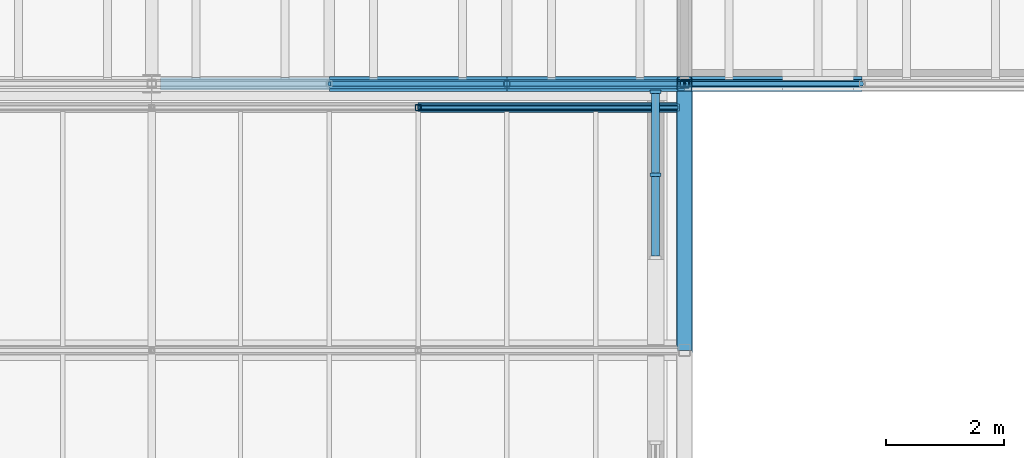
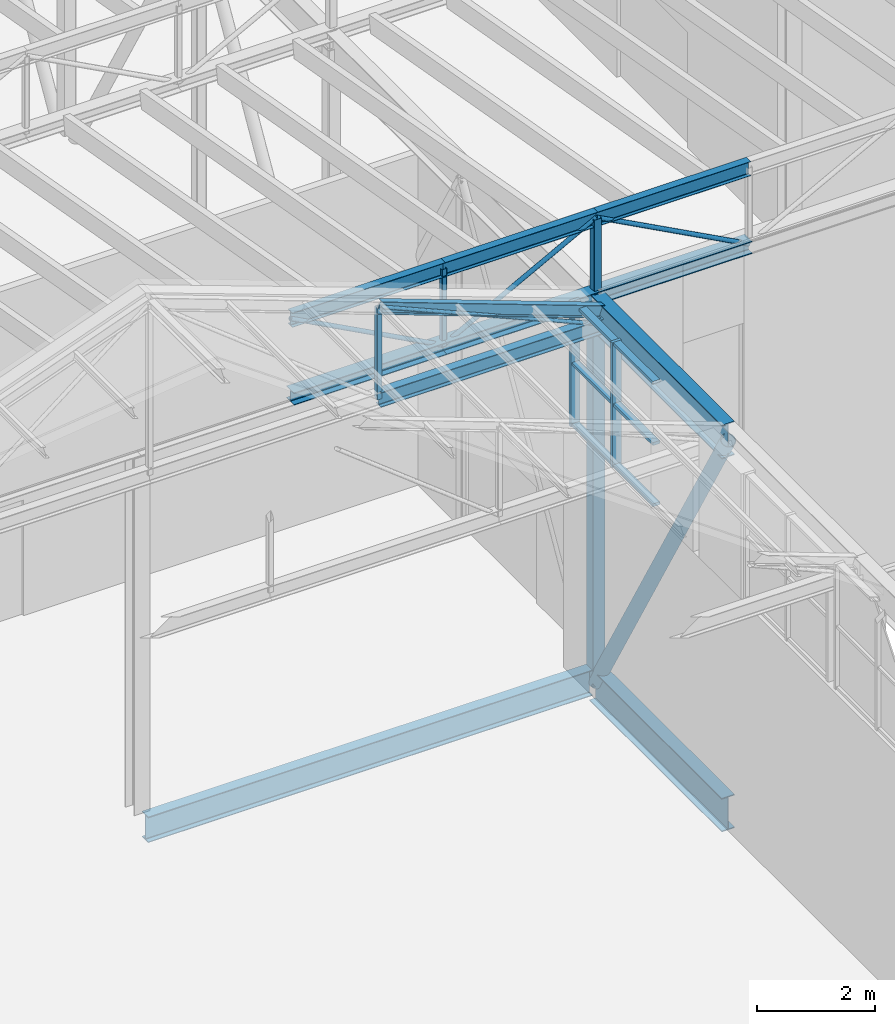
# One storey, part 31 of 90: 27 members, 1 beam, 1 element without a shape of its own.
"""IFC4 building model written with IfcOpenShell, lengths in metres."""

import ifcopenshell
import ifcopenshell.guid

model = None  # the IFC model being written
_history = None  # IfcOwnerHistory: only IFC2X3 demands one
_inside = {}  # id of a spatial element -> (the spatial element, [elements in it])
_under = {}  # id of a project, library or spatial element -> (it, [spatial elements below it])
_declared = {}  # id of a project -> (the project, [libraries it declares])
_typed = {}  # id of a type object -> (the type object, [elements of that type])
_made_of = {}  # id of a material, layer set ... -> (it, [elements and type objects made of it])


def new_model(schema):
    """Start an empty IFC model of exactly this schema.

    Asked for "IFC4X3", IfcOpenShell would pick the latest addendum, in which some entities
    have other attributes; the version numbers below select the first issue.
    IFC2X3 requires an IfcOwnerHistory on every rooted entity: one is made here for all.
    """
    global model, _history
    if schema == "IFC4X3":
        model = ifcopenshell.file(schema_version=(4, 3, 0, 0))
    else:
        model = ifcopenshell.file(schema=schema)
    _inside.clear()
    _under.clear()
    _declared.clear()
    _typed.clear()
    _made_of.clear()
    _history = None
    if model.schema == "IFC2X3":
        org = make("IfcOrganization", Name="unknown")
        user = make(
            "IfcPersonAndOrganization",
            ThePerson=make("IfcPerson", FamilyName="unknown"),
            TheOrganization=org,
        )
        app = make(
            "IfcApplication",
            ApplicationDeveloper=org,
            Version="unknown",
            ApplicationFullName="unknown",
            ApplicationIdentifier="unknown",
        )
        _history = make(
            "IfcOwnerHistory",
            OwningUser=user,
            OwningApplication=app,
            ChangeAction="ADDED",
            CreationDate=0,
        )
    return model


def make(cls, **values):
    """One entity of the class cls with the attributes given. An attribute that is None is left unset."""
    return model.create_entity(
        cls, **{name: value for name, value in values.items() if value is not None}
    )


def rooted(cls, **values):
    """An entity with a GlobalId (a new one), such as an element, a storey or a relation."""
    return make(cls, GlobalId=ifcopenshell.guid.new(), OwnerHistory=_history, **values)


def si_unit(unit_type, name, prefix=None):
    """IfcSIUnit, for example si_unit("LENGTHUNIT", "METRE", prefix="MILLI")."""
    return make("IfcSIUnit", UnitType=unit_type, Prefix=prefix, Name=name)


def assignment(units):
    """IfcUnitAssignment: the units of a project."""
    return None if units is None else make("IfcUnitAssignment", Units=units)


def point(xyz):
    """IfcCartesianPoint."""
    return None if xyz is None else make("IfcCartesianPoint", Coordinates=xyz)


def direction(xyz):
    """IfcDirection."""
    return None if xyz is None else make("IfcDirection", DirectionRatios=xyz)


def frame(location, z_axis=None, x_axis=None):
    """IfcAxis2Placement3D, a coordinate frame: its origin and axes. An axis left out is left unset."""
    return make(
        "IfcAxis2Placement3D",
        Location=point(location),
        Axis=direction(z_axis),
        RefDirection=direction(x_axis),
    )


def frame_2d(location, x_axis=None):
    """IfcAxis2Placement2D, a coordinate frame in the plane: its origin and x axis."""
    return make(
        "IfcAxis2Placement2D", Location=point(location), RefDirection=direction(x_axis)
    )


def origin():
    """The frame at (0, 0, 0) with its axes left unset."""
    return frame((0.0, 0.0, 0.0))


def origin_2d():
    """The frame at (0, 0) in the plane with its x axis left unset."""
    return frame_2d((0.0, 0.0))


def place(relative_to, where):
    """IfcLocalPlacement: puts the frame where relative to a parent placement (None: the world)."""
    return make(
        "IfcLocalPlacement", PlacementRelTo=relative_to, RelativePlacement=where
    )


def context(
    kind, dimensions, precision=None, world=None, true_north=None, identifier=None
):
    """IfcGeometricRepresentationContext, for example the 3D "Model" context."""
    return make(
        "IfcGeometricRepresentationContext",
        ContextIdentifier=identifier,
        ContextType=kind,
        CoordinateSpaceDimension=dimensions,
        Precision=precision,
        WorldCoordinateSystem=world,
        TrueNorth=true_north,
    )


def subcontext(parent, identifier, kind, view, scale=None):
    """IfcGeometricRepresentationSubContext, for example "Body" below "Model"."""
    return make(
        "IfcGeometricRepresentationSubContext",
        ContextIdentifier=identifier,
        ContextType=kind,
        ParentContext=parent,
        TargetScale=scale,
        TargetView=view,
    )


def project(units=None, contexts=None):
    """IfcProject with its units and contexts."""
    return rooted(
        "IfcProject",
        Name="project",
        RepresentationContexts=contexts,
        UnitsInContext=assignment(units),
    )


def spatial(cls, under=None, at=None, **own):
    """A site, building, storey or space (cls), placed at a placement, below another one or the project."""
    s = rooted(cls, ObjectPlacement=at, **own)
    if under is not None:
        _under.setdefault(under.id(), (under, []))[1].append(s)
    return s


def profile(cls, at=None, kind="AREA", **sizes):
    """A parametric profile (cls). Its sizes go by their IFC names, for example OverallWidth=200.0."""
    return make(cls, ProfileType=kind, Position=at, **sizes)


def rectangle(**sizes):
    """IfcRectangleProfileDef."""
    return profile("IfcRectangleProfileDef", **sizes)


def hollow_rectangle(**sizes):
    """IfcRectangleHollowProfileDef."""
    return profile("IfcRectangleHollowProfileDef", **sizes)


def hollow_circle(**sizes):
    """IfcCircleHollowProfileDef."""
    return profile("IfcCircleHollowProfileDef", **sizes)


def i_section(**sizes):
    """IfcIShapeProfileDef."""
    return profile("IfcIShapeProfileDef", **sizes)


def extrude(swept, where, along, depth):
    """IfcExtrudedAreaSolid: the profile swept, set in the frame where, extruded along a direction by depth."""
    return make(
        "IfcExtrudedAreaSolid",
        SweptArea=swept,
        Position=where,
        ExtrudedDirection=direction(along),
        Depth=depth,
    )


def shape(context_of_items, identifier, shape_type, items):
    """IfcShapeRepresentation: the items that make up one representation, for example the "Body"."""
    return make(
        "IfcShapeRepresentation",
        ContextOfItems=context_of_items,
        RepresentationIdentifier=identifier,
        RepresentationType=shape_type,
        Items=items,
    )


def material(Name=None, Category=None):
    """IfcMaterial."""
    return make("IfcMaterial", Name=Name, Category=Category)


def layer(
    of_material, thickness, ventilated=None, Name=None, Category=None, Priority=None
):
    """IfcMaterialLayer: one layer of a wall or slab, of a material (None: an air gap)."""
    return make(
        "IfcMaterialLayer",
        Material=of_material,
        LayerThickness=thickness,
        IsVentilated=ventilated,
        Name=Name,
        Category=Category,
        Priority=Priority,
    )


def layer_set(layers, Name=None):
    """IfcMaterialLayerSet."""
    return make("IfcMaterialLayerSet", MaterialLayers=layers, LayerSetName=Name)


def material_profile(
    of_material, cross_section, Name=None, Category=None, Priority=None
):
    """IfcMaterialProfile: a cross section and its material."""
    return make(
        "IfcMaterialProfile",
        Name=Name,
        Material=of_material,
        Profile=cross_section,
        Priority=Priority,
        Category=Category,
    )


def profile_set(profiles, Name=None, composite=None):
    """IfcMaterialProfileSet."""
    return make(
        "IfcMaterialProfileSet",
        Name=Name,
        MaterialProfiles=profiles,
        CompositeProfile=composite,
    )


def made_of(thing, what):
    """Note that an element or type object is made of a material, layer set ...; save() writes the relation."""
    if what is not None:
        _made_of.setdefault(what.id(), (what, []))[1].append(thing)
    return thing


def type_object(cls, material=None, **own):
    """A type object (cls), such as IfcWallType, which elements share."""
    return made_of(rooted(cls, **own), material)


def element(
    cls,
    number,
    at=None,
    inside=None,
    cuts=None,
    type_object=None,
    material=None,
    context=None,
    identifier="Body",
    shape_type=None,
    held_by="IfcProductDefinitionShape",
    body=None,
    shapes=None,
    **own,
):
    """One element of the class cls, such as IfcWall. Its Tag is "e" and its number.

    at: its placement. inside: the storey or other place that contains it. cuts: it is an
    opening in that element (IfcRelVoidsElement). A single representation is given by context,
    identifier, shape_type and body (its items); several are given by shapes. held_by: the class
    of the entity that holds the representations. save() writes the other relations.
    """
    e = rooted(cls, Tag="e%d" % number, ObjectPlacement=at, **own)
    if body is not None:
        shapes = [shape(context, identifier, shape_type, body)]
    if shapes is not None:
        e.Representation = make(held_by, Representations=shapes)
    if inside is not None:
        _inside.setdefault(inside.id(), (inside, []))[1].append(e)
    if cuts is not None:
        rooted(
            "IfcRelVoidsElement", RelatingBuildingElement=cuts, RelatedOpeningElement=e
        )
    if type_object is not None:
        _typed.setdefault(type_object.id(), (type_object, []))[1].append(e)
    return made_of(e, material)


def aggregate(whole, parts):
    """IfcRelAggregates: a whole, such as a stair, and the parts it consists of."""
    return rooted("IfcRelAggregates", RelatingObject=whole, RelatedObjects=parts)


def save(model, path):
    """Write the relations noted so far, then the file.

    IfcRelAggregates (storeys below a building ...), IfcRelContainedInSpatialStructure (elements
    in a storey), IfcRelDefinesByType, IfcRelAssociatesMaterial and IfcRelDeclares: one each for
    every whole, place, type object, material and project.
    """
    for whole, parts in _under.values():
        aggregate(whole, parts)
    for where, things in _inside.values():
        rooted(
            "IfcRelContainedInSpatialStructure",
            RelatedElements=things,
            RelatingStructure=where,
        )
    for kind, things in _typed.values():
        rooted("IfcRelDefinesByType", RelatedObjects=things, RelatingType=kind)
    for what, things in _made_of.values():
        rooted("IfcRelAssociatesMaterial", RelatedObjects=things, RelatingMaterial=what)
    for by, libraries in _declared.values():
        rooted("IfcRelDeclares", RelatingContext=by, RelatedDefinitions=libraries)
    model.write(path)


model = new_model("IFC4")

# Units and contexts
model_context = context("Model", 3, precision=1e-05, world=origin(), true_north=direction((0.0, 1.0)))
body_context = subcontext(model_context, "Body", "Model", "MODEL_VIEW")
ifc_project = project(units=[si_unit("LENGTHUNIT", "METRE"), si_unit("AREAUNIT", "SQUARE_METRE"), si_unit("VOLUMEUNIT", "CUBIC_METRE"), si_unit("PLANEANGLEUNIT", "RADIAN"), si_unit("MASSUNIT", "GRAM", prefix="KILO")], contexts=[model_context])

# Site, building, storey
site_placement = place(None, origin())
site = spatial("IfcSite", under=ifc_project, at=site_placement, CompositionType="ELEMENT")
building_placement = place(site_placement, origin())
building = spatial("IfcBuilding", under=site, at=building_placement, Name="Halyard Row Museum", CompositionType="ELEMENT")
storey_placement = place(building_placement, frame((0.0, 0.0, 13.39990234375)))
storey = spatial("IfcBuildingStorey", under=building, at=storey_placement, Name="L03", CompositionType="ELEMENT", Elevation=13.39990234375)

# Curtain wall, members
ifc_material_1 = material(Name="Double glazed unit, low-emissivity", Category="glass")
ifc_layer = layer(ifc_material_1, 0.179931640625)
ifc_layer_set = layer_set([ifc_layer], Name="Double glazed unit, low-emissivity")
curtain_wall_type = type_object("IfcCurtainWallType", Name="Curtain wall stick 180 deep", PredefinedType="NOTDEFINED", material=ifc_layer_set)
curtain_wall_placement = place(storey_placement, origin())
curtain_wall = element("IfcCurtainWall", 1, at=curtain_wall_placement, inside=storey, type_object=curtain_wall_type, Name="Curtain wall CW074", PredefinedType="NOTDEFINED")
ifc_material_2 = material(Name="Powder-coated aluminium section", Category="aluminium")
ifc_material_profile_1 = material_profile(ifc_material_2, rectangle(XDim=0.179931640625, YDim=0.06005859375, at=origin_2d()), Name="180x60 mullion")
ifc_profile_set_1 = profile_set([ifc_material_profile_1], Name="Powder-coated aluminium section")
member_type_1 = type_object("IfcMemberType", Name="Curtain wall mullion CM2 60 x 180", PredefinedType="MULLION", material=ifc_profile_set_1)
member_1_placement = place(storey_placement, frame((53.510009765625, 16.466552734375, 5.07275390625), z_axis=(0.0, 0.0, 1.0), x_axis=(-1.0, 0.0, 0.0)))
member_1 = element("IfcMember", 2, at=member_1_placement, type_object=member_type_1, Name="CW074 mullion 2", PredefinedType="MULLION", context=body_context, shape_type="SweptSolid", body=[
    extrude(rectangle(XDim=0.179931640625, YDim=0.06005859375, at=origin_2d()), origin(), (0.0, 0.0, 1.0), 2.60009765625),
])
member_2_placement = place(storey_placement, frame((53.510009765625, 17.8701171875, 5.07275390625), z_axis=(0.0, 0.0, 1.0), x_axis=(-1.0, 0.0, 0.0)))
member_2 = element("IfcMember", 3, at=member_2_placement, type_object=member_type_1, Name="CW074 mullion 3", PredefinedType="MULLION", context=body_context, shape_type="SweptSolid", body=[
    extrude(rectangle(XDim=0.179931640625, YDim=0.06005859375, at=origin_2d()), origin(), (0.0, 0.0, 1.0), 2.60009765625),
])
ifc_material_3 = material(Name="Powder-coated aluminium section", Category="aluminium")
ifc_material_profile_2 = material_profile(ifc_material_3, rectangle(XDim=0.139892578125, YDim=0.06005859375, at=origin_2d()), Name="140x60 transom")
ifc_profile_set_2 = profile_set([ifc_material_profile_2], Name="Powder-coated aluminium section")
member_type_2 = type_object("IfcMemberType", Name="Curtain wall transom CT2 60 x 140", PredefinedType="USERDEFINED", material=ifc_profile_set_2)
member_3_placement = place(storey_placement, frame((53.510009765625, 15.09326171875, 5.102783203125), z_axis=(0.0, 1.0, 0.0), x_axis=(-1.0, 0.0, 0.0)))
member_3 = element("IfcMember", 4, at=member_3_placement, type_object=member_type_2, Name="CW074 transom 1.1", ObjectType="TRANSOM", PredefinedType="USERDEFINED", context=body_context, shape_type="SweptSolid", body=[
    extrude(rectangle(XDim=0.139892578125, YDim=0.06005859375, at=origin_2d()), origin(), (0.0, 0.0, 1.0), 1.343505859375),
])
member_4_placement = place(storey_placement, frame((53.510009765625, 15.09326171875, 6.372802734375), z_axis=(0.0, 1.0, 0.0), x_axis=(-1.0, 0.0, 0.0)))
member_4 = element("IfcMember", 5, at=member_4_placement, type_object=member_type_2, Name="CW074 transom 1.2", ObjectType="TRANSOM", PredefinedType="USERDEFINED", context=body_context, shape_type="SweptSolid", body=[
    extrude(rectangle(XDim=0.139892578125, YDim=0.06005859375, at=origin_2d()), origin(), (0.0, 0.0, 1.0), 1.343505859375),
])
member_5_placement = place(storey_placement, frame((53.510009765625, 15.09326171875, 7.642822265625), z_axis=(0.0, 1.0, 0.0), x_axis=(-1.0, 0.0, 0.0)))
member_5 = element("IfcMember", 6, at=member_5_placement, type_object=member_type_2, Name="CW074 transom 1.3", ObjectType="TRANSOM", PredefinedType="USERDEFINED", context=body_context, shape_type="SweptSolid", body=[
    extrude(rectangle(XDim=0.139892578125, YDim=0.06005859375, at=origin_2d()), origin(), (0.0, 0.0, 1.0), 1.343505859375),
])
member_6_placement = place(storey_placement, frame((53.510009765625, 16.49658203125, 5.102783203125), z_axis=(0.0, 1.0, 0.0), x_axis=(-1.0, 0.0, 0.0)))
member_6 = element("IfcMember", 7, at=member_6_placement, type_object=member_type_2, Name="CW074 transom 2.1", ObjectType="TRANSOM", PredefinedType="USERDEFINED", context=body_context, shape_type="SweptSolid", body=[
    extrude(rectangle(XDim=0.139892578125, YDim=0.06005859375, at=origin_2d()), origin(), (0.0, 0.0, 1.0), 1.343505859375),
])
member_7_placement = place(storey_placement, frame((53.510009765625, 16.49658203125, 6.372802734375), z_axis=(0.0, 1.0, 0.0), x_axis=(-1.0, 0.0, 0.0)))
member_7 = element("IfcMember", 8, at=member_7_placement, type_object=member_type_2, Name="CW074 transom 2.2", ObjectType="TRANSOM", PredefinedType="USERDEFINED", context=body_context, shape_type="SweptSolid", body=[
    extrude(rectangle(XDim=0.139892578125, YDim=0.06005859375, at=origin_2d()), origin(), (0.0, 0.0, 1.0), 1.343505859375),
])
member_8_placement = place(storey_placement, frame((53.510009765625, 16.49658203125, 7.642822265625), z_axis=(0.0, 1.0, 0.0), x_axis=(-1.0, 0.0, 0.0)))
member_8 = element("IfcMember", 9, at=member_8_placement, type_object=member_type_2, Name="CW074 transom 2.3", ObjectType="TRANSOM", PredefinedType="USERDEFINED", context=body_context, shape_type="SweptSolid", body=[
    extrude(rectangle(XDim=0.139892578125, YDim=0.06005859375, at=origin_2d()), origin(), (0.0, 0.0, 1.0), 1.343505859375),
])
aggregate(curtain_wall, [member_1, member_2, member_3, member_4, member_5, member_6, member_7, member_8])

# Beam
ifc_material_4 = material(Name="Steel Grade 300", Category="steel")
ifc_material_profile_3 = material_profile(ifc_material_4, i_section(OverallWidth=0.208984375, OverallDepth=0.532958984375, WebThickness=0.01025390625, FlangeThickness=0.015625, FilletRadius=0.013916015625, at=origin_2d()), Name="530UB92.4")
ifc_profile_set_3 = profile_set([ifc_material_profile_3], Name="Steel Grade 300")
beam_type = type_object("IfcBeamType", Name="Girder beam 530UB92.4", PredefinedType="BEAM", material=ifc_profile_set_3)
beam_placement = place(storey_placement, frame((45.14990234375, 18.0, -0.431396484375), z_axis=(1.0, 0.0, 0.0), x_axis=(0.0, 1.0, 0.0)))
element("IfcBeam", 10, at=beam_placement, inside=storey, type_object=beam_type, Name="Beam L03-014", PredefinedType="BEAM", context=body_context, shape_type="SweptSolid", body=[
    extrude(i_section(OverallWidth=0.208984375, OverallDepth=0.532958984375, WebThickness=0.01025390625, FlangeThickness=0.015625, FilletRadius=0.013916015625, at=origin_2d()), origin(), (0.0, 0.0, 1.0), 8.72509765625),
])

# Members
ifc_material_5 = material(Name="Steel Grade C250L0", Category="steel")
ifc_material_profile_4 = material_profile(ifc_material_5, hollow_circle(Radius=0.0380859375, WallThickness=0.00439453125, at=origin_2d()), Name="76.1x4.5CHS")
ifc_profile_set_4 = profile_set([ifc_material_profile_4], Name="Steel Grade C250L0")
member_type_3 = type_object("IfcMemberType", Name="Roof truss diagonal 76.1x4.5CHS", PredefinedType="BRACE", material=ifc_profile_set_4)
member_9_placement = place(storey_placement, frame((53.875, 17.60009765625, 7.197998046875), z_axis=(-0.917636560923, 0.0, 0.397420611012), x_axis=(0.0, -1.0, 0.0)))
element("IfcMember", 11, at=member_9_placement, inside=storey, type_object=member_type_3, Name="V4RT5 diagonal 4", PredefinedType="BRACE", context=body_context, shape_type="SweptSolid", body=[
    extrude(hollow_circle(Radius=0.0380859375, WallThickness=0.00439453125, at=origin_2d()), origin(), (0.0, 0.0, 1.0), 4.767578125),
])
ifc_material_6 = material(Name="Steel Grade C350L0", Category="steel")
ifc_material_profile_5 = material_profile(ifc_material_6, hollow_rectangle(XDim=0.10009765625, YDim=0.10009765625, WallThickness=0.006103515625, InnerFilletRadius=0.009033203125, OuterFilletRadius=0.014892578125, at=origin_2d()), Name="100x100x6.0SHS")
ifc_profile_set_5 = profile_set([ifc_material_profile_5], Name="Steel Grade C350L0")
member_type_4 = type_object("IfcMemberType", Name="Roof truss post 100x100x6.0SHS", PredefinedType="POST", material=ifc_profile_set_5)
member_10_placement = place(storey_placement, frame((49.5, 17.60009765625, 7.197998046875), z_axis=(0.0, 0.0, 1.0), x_axis=(1.0, 0.0, 0.0)))
element("IfcMember", 12, at=member_10_placement, inside=storey, type_object=member_type_4, Name="V4RT5 post 3", PredefinedType="POST", context=body_context, shape_type="SweptSolid", body=[
    extrude(hollow_rectangle(XDim=0.10009765625, YDim=0.10009765625, WallThickness=0.006103515625, InnerFilletRadius=0.009033203125, OuterFilletRadius=0.014892578125, at=origin_2d()), origin(), (0.0, 0.0, 1.0), 1.894775390625),
])
ifc_material_7 = material(Name="Steel Grade 300", Category="steel")
ifc_material_profile_6 = material_profile(ifc_material_7, i_section(OverallWidth=0.1240234375, OverallDepth=0.248046875, WebThickness=0.0048828125, FlangeThickness=0.008056640625, FilletRadius=0.011962890625, at=origin_2d()), Name="250UB25.7")
ifc_profile_set_6 = profile_set([ifc_material_profile_6], Name="Steel Grade 300")
member_type_5 = type_object("IfcMemberType", Name="Roof truss rafter 250UB25.7 end truss", PredefinedType="RAFTER", material=ifc_profile_set_6)
member_11_placement = place(storey_placement, frame((49.5, 17.60009765625, 9.0927734375), z_axis=(0.938531649117, 0.0, -0.345193197507), x_axis=(0.0, 1.0, 0.0)))
element("IfcMember", 13, at=member_11_placement, inside=storey, type_object=member_type_5, Name="V4RT5 rafter 4", PredefinedType="RAFTER", context=body_context, shape_type="SweptSolid", body=[
    extrude(i_section(OverallWidth=0.1240234375, OverallDepth=0.248046875, WebThickness=0.0048828125, FlangeThickness=0.008056640625, FilletRadius=0.011962890625, at=origin_2d()), origin(), (0.0, 0.0, 1.0), 4.66162109375),
])
ifc_material_8 = material(Name="Steel Grade 300", Category="steel")
ifc_material_profile_7 = material_profile(ifc_material_8, i_section(OverallWidth=0.166015625, OverallDepth=0.30712890625, WebThickness=0.006591796875, FlangeThickness=0.01171875, FilletRadius=0.011474609375, at=origin_2d()), Name="310UB46.2")
ifc_profile_set_7 = profile_set([ifc_material_profile_7], Name="Steel Grade 300")
member_type_6 = type_object("IfcMemberType", Name="Roof truss tie 310UB46.2 end truss", PredefinedType="CHORD", material=ifc_profile_set_7)
member_12_placement = place(storey_placement, frame((49.5, 17.60009765625, 7.197998046875), z_axis=(1.0, 0.0, 0.0), x_axis=(0.0, 1.0, 0.0)))
element("IfcMember", 14, at=member_12_placement, inside=storey, type_object=member_type_6, Name="V4RT5 tie 4", PredefinedType="CHORD", context=body_context, shape_type="SweptSolid", body=[
    extrude(i_section(OverallWidth=0.166015625, OverallDepth=0.30712890625, WebThickness=0.006591796875, FlangeThickness=0.01171875, FilletRadius=0.011474609375, at=origin_2d()), origin(), (0.0, 0.0, 1.0), 4.375),
])
ifc_material_9 = material(Name="Steel Grade 300", Category="steel")
ifc_material_profile_8 = material_profile(ifc_material_9, i_section(OverallWidth=0.25, OverallDepth=0.699951171875, WebThickness=0.010009765625, FlangeThickness=0.02001953125, at=origin_2d()), Name="700WB130")
ifc_profile_set_8 = profile_set([ifc_material_profile_8], Name="Steel Grade 300")
member_type_7 = type_object("IfcMemberType", Name="Transfer truss chord 700WB130 bottom", PredefinedType="CHORD", material=ifc_profile_set_8)
member_13_placement = place(storey_placement, frame((54.0, 13.5, -0.514892578125), z_axis=(0.0, 1.0, 0.0), x_axis=(-1.0, 0.0, 0.0)))
element("IfcMember", 15, at=member_13_placement, inside=storey, type_object=member_type_7, Name="TT2 bottom chord 4", PredefinedType="CHORD", context=body_context, shape_type="SweptSolid", body=[
    extrude(i_section(OverallWidth=0.25, OverallDepth=0.699951171875, WebThickness=0.010009765625, FlangeThickness=0.02001953125, at=origin_2d()), origin(), (0.0, 0.0, 1.0), 4.5),
])
ifc_material_10 = material(Name="Steel Grade 300", Category="steel")
ifc_material_profile_9 = material_profile(ifc_material_10, i_section(OverallWidth=0.25, OverallDepth=0.699951171875, WebThickness=0.010009765625, FlangeThickness=0.02001953125, at=origin_2d()), Name="700WB130")
ifc_profile_set_9 = profile_set([ifc_material_profile_9], Name="Steel Grade 300")
member_type_8 = type_object("IfcMemberType", Name="Transfer truss chord 700WB130 top", PredefinedType="CHORD", material=ifc_profile_set_9)
member_14_placement = place(storey_placement, frame((54.0, 13.5, 7.22998046875), z_axis=(0.0, 1.0, 0.0), x_axis=(-1.0, 0.0, 0.0)))
element("IfcMember", 16, at=member_14_placement, inside=storey, type_object=member_type_8, Name="TT2 top chord 4", PredefinedType="CHORD", context=body_context, shape_type="SweptSolid", body=[
    extrude(i_section(OverallWidth=0.25, OverallDepth=0.699951171875, WebThickness=0.010009765625, FlangeThickness=0.02001953125, at=origin_2d()), origin(), (0.0, 0.0, 1.0), 4.5),
])
ifc_material_11 = material(Name="Steel Grade C350L0", Category="steel")
ifc_material_profile_10 = material_profile(ifc_material_11, hollow_circle(Radius=0.136474609375, WallThickness=0.00927734375, at=origin_2d()), Name="273.1x9.3CHS")
ifc_profile_set_10 = profile_set([ifc_material_profile_10], Name="Steel Grade C350L0")
member_type_9 = type_object("IfcMemberType", Name="Transfer truss diagonal 273.1x9.3CHS", PredefinedType="BRACE", material=ifc_profile_set_10)
member_15_placement = place(storey_placement, frame((54.0, 13.5, 7.22998046875), z_axis=(0.0, 0.502384046634, -0.864644591545), x_axis=(-1.0, 0.0, 0.0)))
element("IfcMember", 17, at=member_15_placement, inside=storey, type_object=member_type_9, Name="TT2 diagonal 4", PredefinedType="BRACE", context=body_context, shape_type="SweptSolid", body=[
    extrude(hollow_circle(Radius=0.136474609375, WallThickness=0.00927734375, at=origin_2d()), origin(), (0.0, 0.0, 1.0), 8.957275390625),
])
ifc_material_12 = material(Name="Steel Grade C350L0", Category="steel")
ifc_material_profile_11 = material_profile(ifc_material_12, hollow_rectangle(XDim=0.25, YDim=0.25, WallThickness=0.012451171875, InnerFilletRadius=0.018798828125, OuterFilletRadius=0.03125, at=origin_2d()), Name="250x250x12.5SHS")
ifc_profile_set_11 = profile_set([ifc_material_profile_11], Name="Steel Grade C350L0")
member_type_10 = type_object("IfcMemberType", Name="Transfer truss post 250x250x12.5SHS", PredefinedType="POST", material=ifc_profile_set_11)
member_16_placement = place(storey_placement, frame((54.0, 18.0, -0.514892578125), z_axis=(0.0, 0.0, 1.0), x_axis=(1.0, 0.0, 0.0)))
element("IfcMember", 18, at=member_16_placement, inside=storey, type_object=member_type_10, Name="TT2 post 5", PredefinedType="POST", context=body_context, shape_type="SweptSolid", body=[
    extrude(hollow_rectangle(XDim=0.25, YDim=0.25, WallThickness=0.012451171875, InnerFilletRadius=0.018798828125, OuterFilletRadius=0.03125, at=origin_2d()), origin(), (0.0, 0.0, 1.0), 7.744873046875),
])
ifc_material_13 = material(Name="Steel Grade 300", Category="steel")
ifc_material_profile_12 = material_profile(ifc_material_13, i_section(OverallWidth=0.25390625, OverallDepth=0.25390625, WebThickness=0.008544921875, FlangeThickness=0.01416015625, FilletRadius=0.013916015625, at=origin_2d()), Name="250UC72.9")
ifc_profile_set_12 = profile_set([ifc_material_profile_12], Name="Steel Grade 300")
member_type_11 = type_object("IfcMemberType", Name="Valley truss bottom chord 250UC72.9", PredefinedType="CHORD", material=ifc_profile_set_12)
for number, where, z_axis, x_axis, name in (
    (19, (48.0, 18.0, 7.527099609375), (1.0, 0.0, 0.0), (0.0, 1.0, 0.0), "V1-VT1 bottom chord 3.2"),
    (20, (51.0, 18.0, 7.527099609375), (1.0, 0.0, 0.0), (0.0, 1.0, 0.0), "V1-VT1 bottom chord 3.3"),
    (21, (54.0, 18.0, 7.527099609375), (1.0, 0.0, 0.0), (0.0, 1.0, 0.0), "V1-VT1 bottom chord 4.1"),
):
    element("IfcMember", number, at=place(storey_placement, frame(where, z_axis=z_axis, x_axis=x_axis)), inside=storey, type_object=member_type_11, Name=name, PredefinedType="CHORD", context=body_context, shape_type="SweptSolid", body=[
        extrude(i_section(OverallWidth=0.25390625, OverallDepth=0.25390625, WebThickness=0.008544921875, FlangeThickness=0.01416015625, FilletRadius=0.013916015625, at=origin_2d()), origin(), (0.0, 0.0, 1.0), 3.0),
    ])
ifc_material_14 = material(Name="Steel Grade C250L0", Category="steel")
ifc_material_profile_13 = material_profile(ifc_material_14, hollow_circle(Radius=0.04443359375, WallThickness=0.0048828125, at=origin_2d()), Name="88.9x5.0CHS")
ifc_profile_set_13 = profile_set([ifc_material_profile_13], Name="Steel Grade C250L0")
member_type_12 = type_object("IfcMemberType", Name="Valley truss diagonal 88.9x5.0CHS", PredefinedType="BRACE", material=ifc_profile_set_13)
for number, where, z_axis, x_axis, name in (
    (22, (48.0, 18.0, 9.131103515625), (0.881863759518, 0.0, -0.471504305016), (0.0, 1.0, 0.0), "V1-VT1 diagonal 3.2"),
    (23, (51.0, 18.0, 7.527099609375), (0.881863759518, 0.0, 0.471504305016), (0.0, 1.0, 0.0), "V1-VT1 diagonal 3.3"),
    (24, (54.0, 18.0, 9.131103515625), (0.881863759518, 0.0, -0.471504305016), (0.0, 1.0, 0.0), "V1-VT1 diagonal 4.1"),
):
    element("IfcMember", number, at=place(storey_placement, frame(where, z_axis=z_axis, x_axis=x_axis)), inside=storey, type_object=member_type_12, Name=name, PredefinedType="BRACE", context=body_context, shape_type="SweptSolid", body=[
        extrude(hollow_circle(Radius=0.04443359375, WallThickness=0.0048828125, at=origin_2d()), origin(), (0.0, 0.0, 1.0), 3.40185546875),
    ])
ifc_material_15 = material(Name="Steel Grade C350L0", Category="steel")
ifc_material_profile_14 = material_profile(ifc_material_15, hollow_rectangle(XDim=0.10009765625, YDim=0.10009765625, WallThickness=0.006103515625, InnerFilletRadius=0.009033203125, OuterFilletRadius=0.014892578125, at=origin_2d()), Name="100x100x6.0SHS")
ifc_profile_set_14 = profile_set([ifc_material_profile_14], Name="Steel Grade C350L0")
member_type_13 = type_object("IfcMemberType", Name="Valley truss post 100x100x6.0SHS", PredefinedType="POST", material=ifc_profile_set_14)
member_17_placement = place(storey_placement, frame((51.0, 18.0, 7.527099609375), z_axis=(0.0, 0.0, 1.0), x_axis=(1.0, 0.0, 0.0)))
element("IfcMember", 25, at=member_17_placement, inside=storey, type_object=member_type_13, Name="V1-VT1 post 3.2", PredefinedType="POST", context=body_context, shape_type="SweptSolid", body=[
    extrude(hollow_rectangle(XDim=0.10009765625, YDim=0.10009765625, WallThickness=0.006103515625, InnerFilletRadius=0.009033203125, OuterFilletRadius=0.014892578125, at=origin_2d()), origin(), (0.0, 0.0, 1.0), 1.60400390625),
])
ifc_material_16 = material(Name="Steel Grade C350L0", Category="steel")
ifc_material_profile_15 = material_profile(ifc_material_16, hollow_rectangle(XDim=0.14990234375, YDim=0.14990234375, WallThickness=0.006103515625, InnerFilletRadius=0.009033203125, OuterFilletRadius=0.014892578125, at=origin_2d()), Name="150x150x6.0SHS")
ifc_profile_set_15 = profile_set([ifc_material_profile_15], Name="Steel Grade C350L0")
member_type_14 = type_object("IfcMemberType", Name="Valley truss post 150x150x6.0SHS", PredefinedType="POST", material=ifc_profile_set_15)
member_18_placement = place(storey_placement, frame((54.0, 18.0, 7.527099609375), z_axis=(0.0, 0.0, 1.0), x_axis=(1.0, 0.0, 0.0)))
element("IfcMember", 26, at=member_18_placement, inside=storey, type_object=member_type_14, Name="V1-VT1 post 3.3", PredefinedType="POST", context=body_context, shape_type="SweptSolid", body=[
    extrude(hollow_rectangle(XDim=0.14990234375, YDim=0.14990234375, WallThickness=0.006103515625, InnerFilletRadius=0.009033203125, OuterFilletRadius=0.014892578125, at=origin_2d()), origin(), (0.0, 0.0, 1.0), 1.60400390625),
])
ifc_material_17 = material(Name="Steel Grade 300", Category="steel")
ifc_material_profile_16 = material_profile(ifc_material_17, i_section(OverallWidth=0.14892578125, OverallDepth=0.298095703125, WebThickness=0.005615234375, FlangeThickness=0.008056640625, FilletRadius=0.012939453125, at=origin_2d()), Name="310UB32.0")
ifc_profile_set_16 = profile_set([ifc_material_profile_16], Name="Steel Grade 300")
member_type_15 = type_object("IfcMemberType", Name="Valley truss top chord 310UB32.0", PredefinedType="CHORD", material=ifc_profile_set_16)
for number, where, z_axis, x_axis, name in (
    (27, (48.0, 18.0, 9.131103515625), (1.0, 0.0, 0.0), (0.0, 1.0, 0.0), "V1-VT1 top chord 3.2"),
    (28, (51.0, 18.0, 9.131103515625), (1.0, 0.0, 0.0), (0.0, 1.0, 0.0), "V1-VT1 top chord 3.3"),
    (29, (54.0, 18.0, 9.131103515625), (1.0, 0.0, 0.0), (0.0, 1.0, 0.0), "V1-VT1 top chord 4.1"),
):
    element("IfcMember", number, at=place(storey_placement, frame(where, z_axis=z_axis, x_axis=x_axis)), inside=storey, type_object=member_type_15, Name=name, PredefinedType="CHORD", context=body_context, shape_type="SweptSolid", body=[
        extrude(i_section(OverallWidth=0.14892578125, OverallDepth=0.298095703125, WebThickness=0.005615234375, FlangeThickness=0.008056640625, FilletRadius=0.012939453125, at=origin_2d()), origin(), (0.0, 0.0, 1.0), 3.0),
    ])

save(model, "model.ifc")
